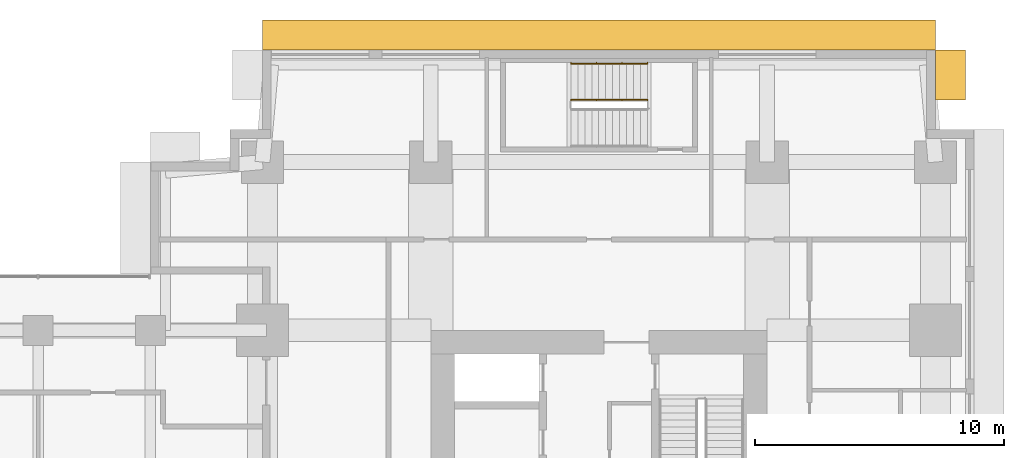
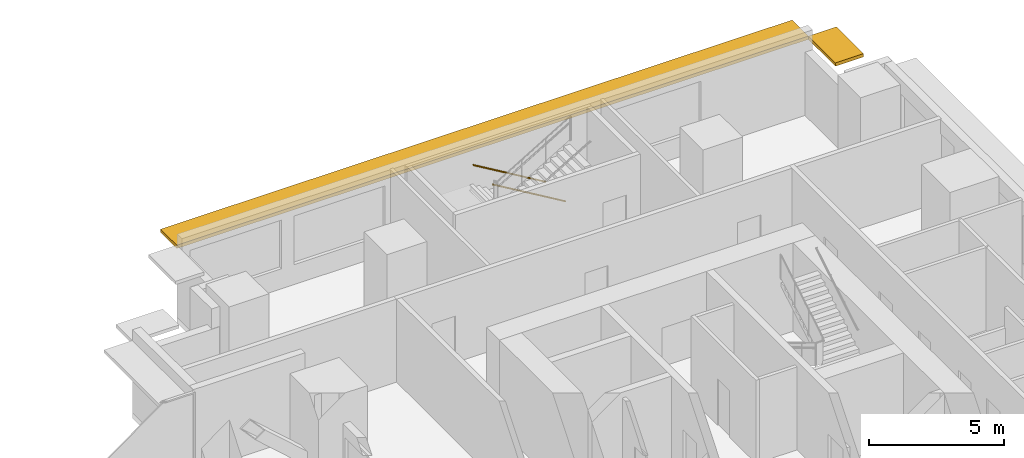
# One storey, part 16 of 16: 2 railings, 2 shading devices.
"""IFC4 building model written with IfcOpenShell, lengths in metres."""

from ifc_helpers import new_model, si_unit, direction, frame, origin, origin_2d, place, context, subcontext, project, spatial, rectangle, circle, extrude, material, layer, layer_set, type_object, element, save


model = new_model("IFC4")

# Units and contexts
model_context = context("Model", 3, precision=1e-05, world=origin(), true_north=direction((0.0, 1.0)))
body_context = subcontext(model_context, "Body", "Model", "MODEL_VIEW")
ifc_project = project(units=[si_unit("LENGTHUNIT", "METRE"), si_unit("AREAUNIT", "SQUARE_METRE"), si_unit("VOLUMEUNIT", "CUBIC_METRE"), si_unit("PLANEANGLEUNIT", "RADIAN"), si_unit("MASSUNIT", "GRAM", prefix="KILO")], contexts=[model_context])

# Site, building, storey
site_placement = place(None, origin())
site = spatial("IfcSite", under=ifc_project, at=site_placement, CompositionType="ELEMENT")
building_placement = place(site_placement, origin())
building = spatial("IfcBuilding", under=site, at=building_placement, Name="Namib Vertical Campus", CompositionType="ELEMENT")
storey_placement = place(building_placement, frame((0.0, 0.0, 113.0)))
storey = spatial("IfcBuildingStorey", under=building, at=storey_placement, Name="L26", CompositionType="ELEMENT", Elevation=113.0)

# Railings
ifc_material_1 = material(Name="Steel handrail", Category="steel")
railing_type = type_object("IfcRailingType", Name="Handrail 900", PredefinedType="HANDRAIL", material=ifc_material_1)
railing_1_placement = place(storey_placement, frame((82.949951171875, 39.949951171875, 0.166748046875)))
element("IfcRailing", 1, at=railing_1_placement, inside=storey, type_object=railing_type, Name="Handrail HR1 B-S3 L26 1", PredefinedType="HANDRAIL", context=body_context, shape_type="SweptSolid", body=[
    extrude(circle(Radius=0.02392578125, at=origin_2d()), frame((0.0, 0.0, 0.8759765625), z_axis=(-0.859290745958, 0.0, 0.51148745235), x_axis=(0.0, -1.0, 0.0)), (0.0, 0.0, 1.0), 3.584228515625),
    extrude(circle(Radius=0.008056640625, at=origin_2d()), frame((0.0, 0.0, 0.8759765625), z_axis=(0.0, 1.0, 0.0), x_axis=(0.0, 0.0, 1.0)), (0.0, 0.0, 1.0), 0.050048828125),
    extrude(circle(Radius=0.008056640625, at=origin_2d()), frame((-1.026611328125, 0.0, 1.48681640625), z_axis=(0.0, 1.0, 0.0), x_axis=(0.0, 0.0, 1.0)), (0.0, 0.0, 1.0), 0.050048828125),
    extrude(circle(Radius=0.008056640625, at=origin_2d()), frame((-2.05322265625, 0.0, 2.09814453125), z_axis=(0.0, 1.0, 0.0), x_axis=(0.0, 0.0, 1.0)), (0.0, 0.0, 1.0), 0.050048828125),
    extrude(circle(Radius=0.008056640625, at=origin_2d()), frame((-3.079833984375, 0.0, 2.708984375), z_axis=(0.0, 1.0, 0.0), x_axis=(0.0, 0.0, 1.0)), (0.0, 0.0, 1.0), 0.050048828125),
])
railing_2_placement = place(storey_placement, frame((82.949951171875, 38.5, 0.166748046875)))
element("IfcRailing", 2, at=railing_2_placement, inside=storey, type_object=railing_type, Name="Handrail HR1 B-S3 L26 1 at the well", PredefinedType="HANDRAIL", context=body_context, shape_type="SweptSolid", body=[
    extrude(circle(Radius=0.02392578125, at=origin_2d()), frame((0.0, 0.0, 0.8759765625), z_axis=(-0.859290745958, 0.0, 0.51148745235), x_axis=(0.0, -1.0, 0.0)), (0.0, 0.0, 1.0), 3.584228515625),
    extrude(circle(Radius=0.008056640625, at=origin_2d()), frame((0.0, 0.0, 0.8759765625), z_axis=(0.0, -1.0, 0.0), x_axis=(0.0, 0.0, 1.0)), (0.0, 0.0, 1.0), 0.0400390625),
    extrude(circle(Radius=0.008056640625, at=origin_2d()), frame((-1.026611328125, 0.0, 1.48681640625), z_axis=(0.0, -1.0, 0.0), x_axis=(0.0, 0.0, 1.0)), (0.0, 0.0, 1.0), 0.0400390625),
    extrude(circle(Radius=0.008056640625, at=origin_2d()), frame((-2.05322265625, 0.0, 2.09814453125), z_axis=(0.0, -1.0, 0.0), x_axis=(0.0, 0.0, 1.0)), (0.0, 0.0, 1.0), 0.0400390625),
    extrude(circle(Radius=0.008056640625, at=origin_2d()), frame((-3.079833984375, 0.0, 2.708984375), z_axis=(0.0, -1.0, 0.0), x_axis=(0.0, 0.0, 1.0)), (0.0, 0.0, 1.0), 0.0400390625),
])

# Shading devices
ifc_material_2 = material(Name="Concrete C40/50 precast", Category="concrete")
ifc_layer = layer(ifc_material_2, 0.14990234375)
ifc_layer_set = layer_set([ifc_layer], Name="Concrete C40/50 precast")
shading_device_type = type_object("IfcShadingDeviceType", Name="Sunshade hood 1200", PredefinedType="SHUTTER", material=ifc_layer_set)
shading_device_1_placement = place(storey_placement, frame((95.10009765625, 39.5, 3.10009765625), z_axis=(0.0, 0.0, 1.0), x_axis=(0.0, 1.0, 0.0)))
element("IfcShadingDevice", 3, at=shading_device_1_placement, inside=storey, type_object=shading_device_type, Name="Sunshade SH2 L26 7", PredefinedType="SHUTTER", context=body_context, shape_type="SweptSolid", body=[
    extrude(rectangle(XDim=2.0, YDim=1.199951171875, at=origin_2d()), origin(), (0.0, 0.0, 1.0), 0.14990234375),
])
shading_device_2_placement = place(storey_placement, frame((81.0, 41.10009765625, 3.10009765625), z_axis=(0.0, 0.0, 1.0), x_axis=(-1.0, 0.0, 0.0)))
element("IfcShadingDevice", 4, at=shading_device_2_placement, inside=storey, type_object=shading_device_type, Name="Sunshade SH2 L26 8", PredefinedType="SHUTTER", context=body_context, shape_type="SweptSolid", body=[
    extrude(rectangle(XDim=27.0, YDim=1.199951171875, at=origin_2d()), origin(), (0.0, 0.0, 1.0), 0.14990234375),
])

save(model, "model.ifc")
